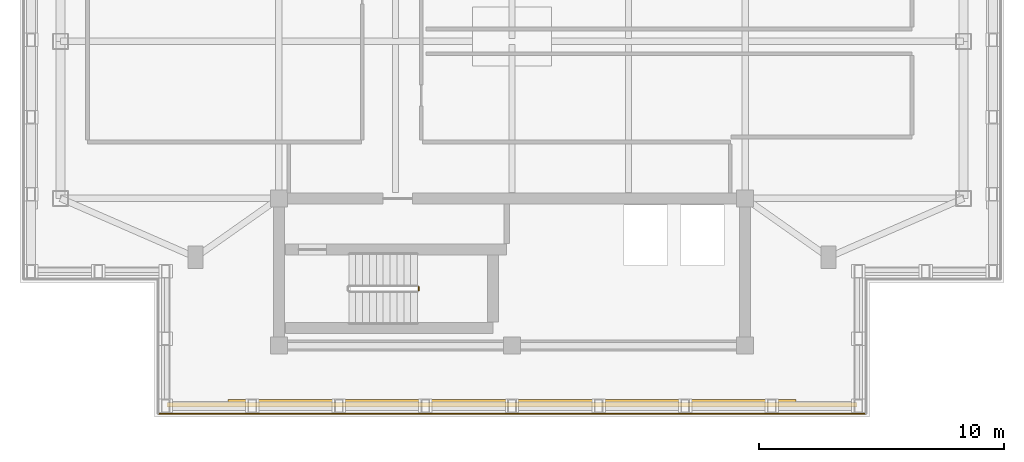
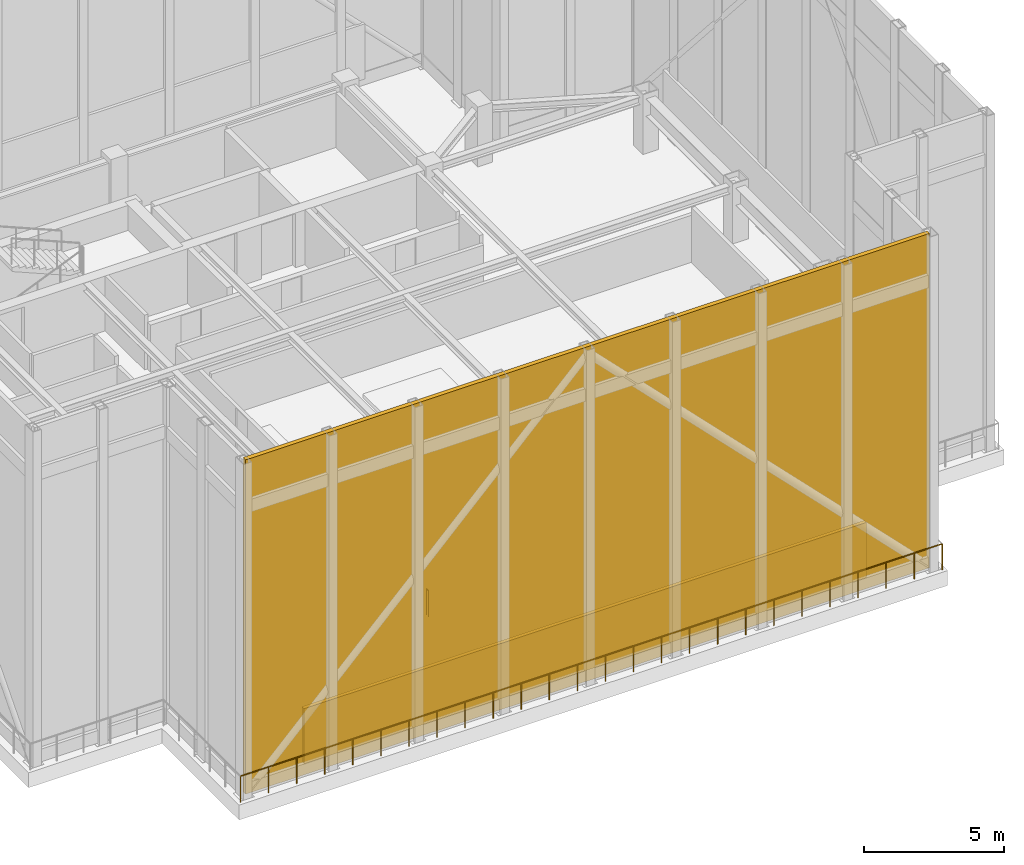
# One storey, part 6 of 8: 2 railings, 2 shading devices.
"""IFC4 building model written with IfcOpenShell, lengths in metres."""

from ifc_helpers import new_model, si_unit, direction, frame, frame_2d, origin, origin_2d, place, context, subcontext, project, spatial, rectangle, circle, extrude, material, layer, layer_set, type_object, element, save


model = new_model("IFC4")

# Units and contexts
model_context = context("Model", 3, precision=1e-05, world=origin(), true_north=direction((0.0, 1.0)))
body_context = subcontext(model_context, "Body", "Model", "MODEL_VIEW")
ifc_project = project(units=[si_unit("LENGTHUNIT", "METRE"), si_unit("AREAUNIT", "SQUARE_METRE"), si_unit("VOLUMEUNIT", "CUBIC_METRE"), si_unit("PLANEANGLEUNIT", "RADIAN"), si_unit("MASSUNIT", "GRAM", prefix="KILO")], contexts=[model_context])

# Site, building, storey
site_placement = place(None, origin())
site = spatial("IfcSite", under=ifc_project, at=site_placement, CompositionType="ELEMENT")
building_placement = place(site_placement, origin())
building = spatial("IfcBuilding", under=site, at=building_placement, Name="Mirazonda Arch Towers", CompositionType="ELEMENT")
storey_placement = place(building_placement, frame((0.0, 0.0, 263.5)))
storey = spatial("IfcBuildingStorey", under=building, at=storey_placement, Name="L75", CompositionType="ELEMENT", Elevation=263.5)

# Railings
ifc_material_1 = material(Name="Architectural Brushed Steel S355", Category="steel")
railing_type_1 = type_object("IfcRailingType", Name="GUARD-EXT-1150", PredefinedType="GUARDRAIL", material=ifc_material_1)
railing_1_placement = place(storey_placement, frame((6.074951171875, 9.6298828125, 0.0)))
element("IfcRailing", 1, at=railing_1_placement, inside=storey, type_object=railing_type_1, Name="L75 L75 Crown Plant Deck Perimeter Guard 01", PredefinedType="GUARDRAIL", context=body_context, shape_type="SweptSolid", body=[
    extrude(circle(Radius=0.02392578125, at=origin_2d()), frame((0.0, 0.0, 1.1259765625), z_axis=(1.0, 0.0, 0.0), x_axis=(0.0, 1.0, 0.0)), (0.0, 0.0, 1.0), 28.85009765625),
    extrude(circle(Radius=0.02099609375, at=origin_2d()), origin(), (0.0, 0.0, 1.0), 1.101806640625),
    extrude(circle(Radius=0.02099609375, at=origin_2d()), frame((1.154052734375, 0.0, 0.0)), (0.0, 0.0, 1.0), 1.101806640625),
    extrude(circle(Radius=0.02099609375, at=origin_2d()), frame((2.30810546875, 0.0, 0.0)), (0.0, 0.0, 1.0), 1.101806640625),
    extrude(circle(Radius=0.02099609375, at=origin_2d()), frame((3.4619140625, 0.0, 0.0)), (0.0, 0.0, 1.0), 1.101806640625),
    extrude(circle(Radius=0.02099609375, at=origin_2d()), frame((4.615966796875, 0.0, 0.0)), (0.0, 0.0, 1.0), 1.101806640625),
    extrude(circle(Radius=0.02099609375, at=origin_2d()), frame((5.77001953125, 0.0, 0.0)), (0.0, 0.0, 1.0), 1.101806640625),
    extrude(circle(Radius=0.02099609375, at=origin_2d()), frame((6.924072265625, 0.0, 0.0)), (0.0, 0.0, 1.0), 1.101806640625),
    extrude(circle(Radius=0.02099609375, at=origin_2d()), frame((8.078125, 0.0, 0.0)), (0.0, 0.0, 1.0), 1.101806640625),
    extrude(circle(Radius=0.02099609375, at=origin_2d()), frame((9.23193359375, 0.0, 0.0)), (0.0, 0.0, 1.0), 1.101806640625),
    extrude(circle(Radius=0.02099609375, at=origin_2d()), frame((10.385986328125, 0.0, 0.0)), (0.0, 0.0, 1.0), 1.101806640625),
    extrude(circle(Radius=0.02099609375, at=origin_2d()), frame((11.5400390625, 0.0, 0.0)), (0.0, 0.0, 1.0), 1.101806640625),
    extrude(circle(Radius=0.02099609375, at=origin_2d()), frame((12.694091796875, 0.0, 0.0)), (0.0, 0.0, 1.0), 1.101806640625),
    extrude(circle(Radius=0.02099609375, at=origin_2d()), frame((13.84814453125, 0.0, 0.0)), (0.0, 0.0, 1.0), 1.101806640625),
    extrude(circle(Radius=0.02099609375, at=origin_2d()), frame((15.001953125, 0.0, 0.0)), (0.0, 0.0, 1.0), 1.101806640625),
    extrude(circle(Radius=0.02099609375, at=origin_2d()), frame((16.156005859375, 0.0, 0.0)), (0.0, 0.0, 1.0), 1.101806640625),
    extrude(circle(Radius=0.02099609375, at=origin_2d()), frame((17.31005859375, 0.0, 0.0)), (0.0, 0.0, 1.0), 1.101806640625),
    extrude(circle(Radius=0.02099609375, at=origin_2d()), frame((18.464111328125, 0.0, 0.0)), (0.0, 0.0, 1.0), 1.101806640625),
    extrude(circle(Radius=0.02099609375, at=origin_2d()), frame((19.6181640625, 0.0, 0.0)), (0.0, 0.0, 1.0), 1.101806640625),
    extrude(circle(Radius=0.02099609375, at=origin_2d()), frame((20.77197265625, 0.0, 0.0)), (0.0, 0.0, 1.0), 1.101806640625),
    extrude(circle(Radius=0.02099609375, at=origin_2d()), frame((21.926025390625, 0.0, 0.0)), (0.0, 0.0, 1.0), 1.101806640625),
    extrude(circle(Radius=0.02099609375, at=origin_2d()), frame((23.080078125, 0.0, 0.0)), (0.0, 0.0, 1.0), 1.101806640625),
    extrude(circle(Radius=0.02099609375, at=origin_2d()), frame((24.234130859375, 0.0, 0.0)), (0.0, 0.0, 1.0), 1.101806640625),
    extrude(circle(Radius=0.02099609375, at=origin_2d()), frame((25.38818359375, 0.0, 0.0)), (0.0, 0.0, 1.0), 1.101806640625),
    extrude(circle(Radius=0.02099609375, at=origin_2d()), frame((26.5419921875, 0.0, 0.0)), (0.0, 0.0, 1.0), 1.101806640625),
    extrude(circle(Radius=0.02099609375, at=origin_2d()), frame((27.696044921875, 0.0, 0.0)), (0.0, 0.0, 1.0), 1.101806640625),
    extrude(circle(Radius=0.02099609375, at=origin_2d()), frame((28.85009765625, 0.0, 0.0)), (0.0, 0.0, 1.0), 1.101806640625),
])
railing_type_2 = type_object("IfcRailingType", Name="GUARD-STAIR-1120", PredefinedType="GUARDRAIL", material=ifc_material_1)
railing_2_placement = place(storey_placement, frame((16.699951171875, 14.64990234375, 1.300048828125)))
element("IfcRailing", 2, at=railing_2_placement, inside=storey, type_object=railing_type_2, Name="L75 ST-T1S stair guard 2", PredefinedType="GUARDRAIL", context=body_context, shape_type="SweptSolid", body=[
    extrude(circle(Radius=0.02392578125, at=origin_2d()), frame((0.0, 0.0, 1.1259765625), z_axis=(0.0, 1.0, 0.0), x_axis=(-1.0, 0.0, 0.0)), (0.0, 0.0, 1.0), 0.14013671875),
    extrude(circle(Radius=0.02099609375, at=origin_2d()), origin(), (0.0, 0.0, 1.0), 1.101806640625),
    extrude(circle(Radius=0.02099609375, at=origin_2d()), frame((0.0, 0.14013671875, 0.0)), (0.0, 0.0, 1.0), 1.101806640625),
])

# Shading devices
ifc_material_2 = material(Name="Anodised Aluminium Alloy", Category="aluminium")
ifc_layer_1 = layer(ifc_material_2, 0.14990234375, Name="LOUVRE-PLANT")
ifc_layer_set_1 = layer_set([ifc_layer_1], Name="Anodised Aluminium Alloy")
shading_device_type_1 = type_object("IfcShadingDeviceType", Name="LOUVRE-PLANT", PredefinedType="JALOUSIE", material=ifc_layer_set_1)
shading_device_1_placement = place(storey_placement, frame((8.93505859375, 10.1298828125, 0.39990234375), z_axis=(0.0, 0.0, 1.0), x_axis=(1.0, 0.0, 0.0)))
element("IfcShadingDevice", 3, at=shading_device_1_placement, inside=storey, type_object=shading_device_type_1, Name="T1 Crown Plant Intake Acoustic Louvre E01", PredefinedType="JALOUSIE", context=body_context, shape_type="SweptSolid", body=[
    extrude(rectangle(XDim=23.1298828125, YDim=0.14990234375, at=frame_2d((11.56494140625, 0.0))), origin(), (0.0, 0.0, 1.0), 2.400146484375),
])
ifc_material_3 = material(Name="Kiln-Fired Architectural Terracotta", Category="masonry")
ifc_layer_2 = layer(ifc_material_3, 0.179931640625, Name="SCREEN-CROWN")
ifc_layer_set_2 = layer_set([ifc_layer_2], Name="Kiln-Fired Architectural Terracotta")
shading_device_type_2 = type_object("IfcShadingDeviceType", Name="SCREEN-CROWN", PredefinedType="SHUTTER", material=ifc_layer_set_2)
shading_device_2_placement = place(storey_placement, frame((6.43505859375, 9.989990234375, 0.050048828125), z_axis=(0.0, 0.0, 1.0), x_axis=(1.0, 0.0, 0.0)))
element("IfcShadingDevice", 4, at=shading_device_2_placement, inside=storey, type_object=shading_device_type_2, Name="T1 Constructivist Ring Crown Terracotta Screen E01", PredefinedType="SHUTTER", context=body_context, shape_type="SweptSolid", body=[
    extrude(rectangle(XDim=28.1298828125, YDim=0.179931640625, at=frame_2d((14.06494140625, 0.0))), origin(), (0.0, 0.0, 1.0), 14.530029296875),
])

save(model, "model.ifc")
